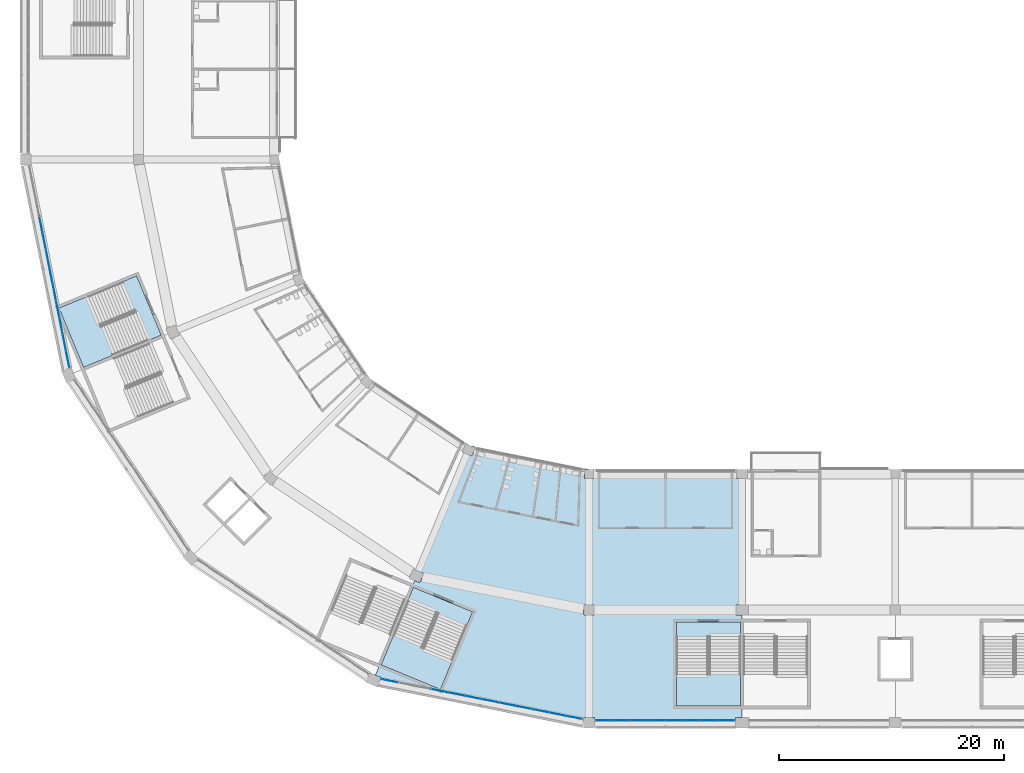
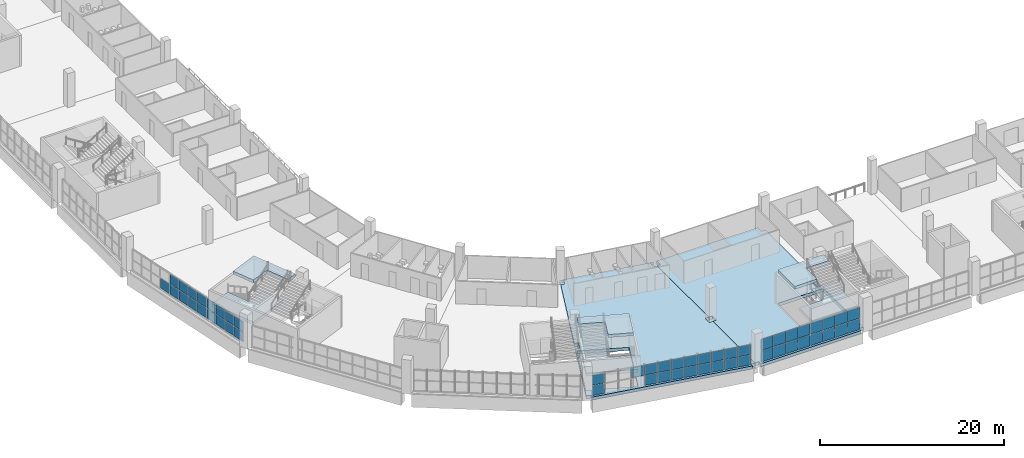
# One storey, part 56 of 199: 52 plates, 8 slabs, 6 elements without a shape of their own.
"""IFC4 building model written with IfcOpenShell, lengths in metres."""

from ifc_helpers import new_model, si_unit, direction, frame, origin, origin_2d, place, context, subcontext, project, spatial, polyline, rectangle, outline, extrude, material, layer, layer_set, type_object, element, aggregate, save


model = new_model("IFC4")

# Units and contexts
model_context = context("Model", 3, precision=1e-05, world=origin(), true_north=direction((0.0, 1.0)))
body_context = subcontext(model_context, "Body", "Model", "MODEL_VIEW")
ifc_project = project(units=[si_unit("LENGTHUNIT", "METRE"), si_unit("AREAUNIT", "SQUARE_METRE"), si_unit("VOLUMEUNIT", "CUBIC_METRE"), si_unit("PLANEANGLEUNIT", "RADIAN"), si_unit("MASSUNIT", "GRAM", prefix="KILO")], contexts=[model_context])

# Site, building, storey
site_placement = place(None, origin())
site = spatial("IfcSite", under=ifc_project, at=site_placement, CompositionType="ELEMENT")
building_placement = place(site_placement, origin())
building = spatial("IfcBuilding", under=site, at=building_placement, Name="Ogive Plaza Stadium", CompositionType="ELEMENT")
storey_placement = place(building_placement, frame((0.0, 0.0, 9.0)))
storey = spatial("IfcBuildingStorey", under=building, at=storey_placement, Name="L02", CompositionType="ELEMENT", Elevation=9.0)

# Curtain wall, plates
ifc_material_1 = material(Name="Bronze-anodised aluminium with laminated glass", Category="aluminium")
curtain_wall_type = type_object("IfcCurtainWallType", Name="Lancet curtain wall", PredefinedType="NOTDEFINED", material=ifc_material_1)
curtain_wall_1_placement = place(storey_placement, origin())
curtain_wall_1 = element("IfcCurtainWall", 1, at=curtain_wall_1_placement, inside=storey, type_object=curtain_wall_type, Name="CURTAIN WALL B16 L02", PredefinedType="NOTDEFINED")
ifc_material_2 = material(Name="Laminated glass", Category="glass")
ifc_layer_1 = layer(ifc_material_2, 0.028076171875)
ifc_layer_set_1 = layer_set([ifc_layer_1], Name="Laminated glass panel 28")
plate_type = type_object("IfcPlateType", Name="Laminated glass panel 28", PredefinedType="CURTAIN_PANEL", material=ifc_layer_set_1)
plate_1_placement = place(storey_placement, frame((-21.78759765625, -102.300048828125, 0.0498046875), z_axis=(0.0, 0.0, 1.0), x_axis=(-1.0, 0.0, 0.0)))
plate_1 = element("IfcPlate", 2, at=plate_1_placement, type_object=plate_type, Name="CW-B16-L02 panel 1.1", PredefinedType="CURTAIN_PANEL", context=body_context, shape_type="SweptSolid", body=[
    extrude(rectangle(XDim=1.47509765625, YDim=0.028076171875, at=origin_2d()), origin(), (0.0, 0.0, 1.0), 1.469970703125),
])
plate_2_placement = place(storey_placement, frame((-21.78759765625, -102.300048828125, 1.56982421875), z_axis=(0.0, 0.0, 1.0), x_axis=(-1.0, 0.0, 0.0)))
plate_2 = element("IfcPlate", 3, at=plate_2_placement, type_object=plate_type, Name="CW-B16-L02 panel 1.2", PredefinedType="CURTAIN_PANEL", context=body_context, shape_type="SweptSolid", body=[
    extrude(rectangle(XDim=1.47509765625, YDim=0.028076171875, at=origin_2d()), origin(), (0.0, 0.0, 1.0), 1.469970703125),
])
plate_3_placement = place(storey_placement, frame((-23.324951171875, -102.300048828125, 0.0498046875), z_axis=(0.0, 0.0, 1.0), x_axis=(-1.0, 0.0, 0.0)))
plate_3 = element("IfcPlate", 4, at=plate_3_placement, type_object=plate_type, Name="CW-B16-L02 panel 2.1", PredefinedType="CURTAIN_PANEL", context=body_context, shape_type="SweptSolid", body=[
    extrude(rectangle(XDim=1.5, YDim=0.028076171875, at=origin_2d()), origin(), (0.0, 0.0, 1.0), 1.469970703125),
])
plate_4_placement = place(storey_placement, frame((-23.324951171875, -102.300048828125, 1.56982421875), z_axis=(0.0, 0.0, 1.0), x_axis=(-1.0, 0.0, 0.0)))
plate_4 = element("IfcPlate", 5, at=plate_4_placement, type_object=plate_type, Name="CW-B16-L02 panel 2.2", PredefinedType="CURTAIN_PANEL", context=body_context, shape_type="SweptSolid", body=[
    extrude(rectangle(XDim=1.5, YDim=0.028076171875, at=origin_2d()), origin(), (0.0, 0.0, 1.0), 1.469970703125),
])
plate_5_placement = place(storey_placement, frame((-24.875, -102.300048828125, 0.0498046875), z_axis=(0.0, 0.0, 1.0), x_axis=(-1.0, 0.0, 0.0)))
plate_5 = element("IfcPlate", 6, at=plate_5_placement, type_object=plate_type, Name="CW-B16-L02 panel 3.1", PredefinedType="CURTAIN_PANEL", context=body_context, shape_type="SweptSolid", body=[
    extrude(rectangle(XDim=1.5, YDim=0.028076171875, at=origin_2d()), origin(), (0.0, 0.0, 1.0), 1.469970703125),
])
plate_6_placement = place(storey_placement, frame((-24.875, -102.300048828125, 1.56982421875), z_axis=(0.0, 0.0, 1.0), x_axis=(-1.0, 0.0, 0.0)))
plate_6 = element("IfcPlate", 7, at=plate_6_placement, type_object=plate_type, Name="CW-B16-L02 panel 3.2", PredefinedType="CURTAIN_PANEL", context=body_context, shape_type="SweptSolid", body=[
    extrude(rectangle(XDim=1.5, YDim=0.028076171875, at=origin_2d()), origin(), (0.0, 0.0, 1.0), 1.469970703125),
])
plate_7_placement = place(storey_placement, frame((-26.425048828125, -102.300048828125, 0.0498046875), z_axis=(0.0, 0.0, 1.0), x_axis=(-1.0, 0.0, 0.0)))
plate_7 = element("IfcPlate", 8, at=plate_7_placement, type_object=plate_type, Name="CW-B16-L02 panel 4.1", PredefinedType="CURTAIN_PANEL", context=body_context, shape_type="SweptSolid", body=[
    extrude(rectangle(XDim=1.5, YDim=0.028076171875, at=origin_2d()), origin(), (0.0, 0.0, 1.0), 1.469970703125),
])
plate_8_placement = place(storey_placement, frame((-26.425048828125, -102.300048828125, 1.56982421875), z_axis=(0.0, 0.0, 1.0), x_axis=(-1.0, 0.0, 0.0)))
plate_8 = element("IfcPlate", 9, at=plate_8_placement, type_object=plate_type, Name="CW-B16-L02 panel 4.2", PredefinedType="CURTAIN_PANEL", context=body_context, shape_type="SweptSolid", body=[
    extrude(rectangle(XDim=1.5, YDim=0.028076171875, at=origin_2d()), origin(), (0.0, 0.0, 1.0), 1.469970703125),
])
plate_9_placement = place(storey_placement, frame((-27.97509765625, -102.300048828125, 0.0498046875), z_axis=(0.0, 0.0, 1.0), x_axis=(-1.0, 0.0, 0.0)))
plate_9 = element("IfcPlate", 10, at=plate_9_placement, type_object=plate_type, Name="CW-B16-L02 panel 5.1", PredefinedType="CURTAIN_PANEL", context=body_context, shape_type="SweptSolid", body=[
    extrude(rectangle(XDim=1.5, YDim=0.028076171875, at=origin_2d()), origin(), (0.0, 0.0, 1.0), 1.469970703125),
])
plate_10_placement = place(storey_placement, frame((-27.97509765625, -102.300048828125, 1.56982421875), z_axis=(0.0, 0.0, 1.0), x_axis=(-1.0, 0.0, 0.0)))
plate_10 = element("IfcPlate", 11, at=plate_10_placement, type_object=plate_type, Name="CW-B16-L02 panel 5.2", PredefinedType="CURTAIN_PANEL", context=body_context, shape_type="SweptSolid", body=[
    extrude(rectangle(XDim=1.5, YDim=0.028076171875, at=origin_2d()), origin(), (0.0, 0.0, 1.0), 1.469970703125),
])
plate_11_placement = place(storey_placement, frame((-29.52490234375, -102.300048828125, 0.0498046875), z_axis=(0.0, 0.0, 1.0), x_axis=(-1.0, 0.0, 0.0)))
plate_11 = element("IfcPlate", 12, at=plate_11_placement, type_object=plate_type, Name="CW-B16-L02 panel 6.1", PredefinedType="CURTAIN_PANEL", context=body_context, shape_type="SweptSolid", body=[
    extrude(rectangle(XDim=1.5, YDim=0.028076171875, at=origin_2d()), origin(), (0.0, 0.0, 1.0), 1.469970703125),
])
plate_12_placement = place(storey_placement, frame((-29.52490234375, -102.300048828125, 1.56982421875), z_axis=(0.0, 0.0, 1.0), x_axis=(-1.0, 0.0, 0.0)))
plate_12 = element("IfcPlate", 13, at=plate_12_placement, type_object=plate_type, Name="CW-B16-L02 panel 6.2", PredefinedType="CURTAIN_PANEL", context=body_context, shape_type="SweptSolid", body=[
    extrude(rectangle(XDim=1.5, YDim=0.028076171875, at=origin_2d()), origin(), (0.0, 0.0, 1.0), 1.469970703125),
])
plate_13_placement = place(storey_placement, frame((-31.074951171875, -102.300048828125, 0.0498046875), z_axis=(0.0, 0.0, 1.0), x_axis=(-1.0, 0.0, 0.0)))
plate_13 = element("IfcPlate", 14, at=plate_13_placement, type_object=plate_type, Name="CW-B16-L02 panel 7.1", PredefinedType="CURTAIN_PANEL", context=body_context, shape_type="SweptSolid", body=[
    extrude(rectangle(XDim=1.5, YDim=0.028076171875, at=origin_2d()), origin(), (0.0, 0.0, 1.0), 1.469970703125),
])
plate_14_placement = place(storey_placement, frame((-31.074951171875, -102.300048828125, 1.56982421875), z_axis=(0.0, 0.0, 1.0), x_axis=(-1.0, 0.0, 0.0)))
plate_14 = element("IfcPlate", 15, at=plate_14_placement, type_object=plate_type, Name="CW-B16-L02 panel 7.2", PredefinedType="CURTAIN_PANEL", context=body_context, shape_type="SweptSolid", body=[
    extrude(rectangle(XDim=1.5, YDim=0.028076171875, at=origin_2d()), origin(), (0.0, 0.0, 1.0), 1.469970703125),
])
plate_15_placement = place(storey_placement, frame((-32.612548828125, -102.300048828125, 0.0498046875), z_axis=(0.0, 0.0, 1.0), x_axis=(-1.0, 0.0, 0.0)))
plate_15 = element("IfcPlate", 16, at=plate_15_placement, type_object=plate_type, Name="CW-B16-L02 panel 8.1", PredefinedType="CURTAIN_PANEL", context=body_context, shape_type="SweptSolid", body=[
    extrude(rectangle(XDim=1.47509765625, YDim=0.028076171875, at=origin_2d()), origin(), (0.0, 0.0, 1.0), 1.469970703125),
])
plate_16_placement = place(storey_placement, frame((-32.612548828125, -102.300048828125, 1.56982421875), z_axis=(0.0, 0.0, 1.0), x_axis=(-1.0, 0.0, 0.0)))
plate_16 = element("IfcPlate", 17, at=plate_16_placement, type_object=plate_type, Name="CW-B16-L02 panel 8.2", PredefinedType="CURTAIN_PANEL", context=body_context, shape_type="SweptSolid", body=[
    extrude(rectangle(XDim=1.47509765625, YDim=0.028076171875, at=origin_2d()), origin(), (0.0, 0.0, 1.0), 1.469970703125),
])
aggregate(curtain_wall_1, [plate_1, plate_2, plate_3, plate_4, plate_5, plate_6, plate_7, plate_8, plate_9, plate_10, plate_11, plate_12, plate_13, plate_14, plate_15, plate_16])

curtain_wall_2_placement = place(storey_placement, origin())
curtain_wall_2 = element("IfcCurtainWall", 18, at=curtain_wall_2_placement, inside=storey, type_object=curtain_wall_type, Name="CURTAIN WALL B17 L02", PredefinedType="NOTDEFINED")
plate_17_placement = place(storey_placement, frame((-35.328369140625, -102.031982421875, 0.0498046875), z_axis=(0.0, 0.0, 1.0), x_axis=(-0.9807852804, 0.195090322033, 0.0)))
plate_17 = element("IfcPlate", 19, at=plate_17_placement, type_object=plate_type, Name="CW-B17-L02 panel 1.1", PredefinedType="CURTAIN_PANEL", context=body_context, shape_type="SweptSolid", body=[
    extrude(rectangle(XDim=1.447265625, YDim=0.028076171875, at=origin_2d()), origin(), (0.0, 0.0, 1.0), 1.320068359375),
])
plate_18_placement = place(storey_placement, frame((-35.328369140625, -102.031982421875, 1.419921875), z_axis=(0.0, 0.0, 1.0), x_axis=(-0.9807852804, 0.195090322033, 0.0)))
plate_18 = element("IfcPlate", 20, at=plate_18_placement, type_object=plate_type, Name="CW-B17-L02 panel 1.2", PredefinedType="CURTAIN_PANEL", context=body_context, shape_type="SweptSolid", body=[
    extrude(rectangle(XDim=1.447265625, YDim=0.028076171875, at=origin_2d()), origin(), (0.0, 0.0, 1.0), 1.320068359375),
])
plate_19_placement = place(storey_placement, frame((-36.80908203125, -101.7373046875, 0.0498046875), z_axis=(0.0, 0.0, 1.0), x_axis=(-0.9807852804, 0.195090322033, 0.0)))
plate_19 = element("IfcPlate", 21, at=plate_19_placement, type_object=plate_type, Name="CW-B17-L02 panel 2.1", PredefinedType="CURTAIN_PANEL", context=body_context, shape_type="SweptSolid", body=[
    extrude(rectangle(XDim=1.472412109375, YDim=0.028076171875, at=origin_2d()), origin(), (0.0, 0.0, 1.0), 1.320068359375),
])
plate_20_placement = place(storey_placement, frame((-36.80908203125, -101.7373046875, 1.419921875), z_axis=(0.0, 0.0, 1.0), x_axis=(-0.9807852804, 0.195090322033, 0.0)))
plate_20 = element("IfcPlate", 22, at=plate_20_placement, type_object=plate_type, Name="CW-B17-L02 panel 2.2", PredefinedType="CURTAIN_PANEL", context=body_context, shape_type="SweptSolid", body=[
    extrude(rectangle(XDim=1.472412109375, YDim=0.028076171875, at=origin_2d()), origin(), (0.0, 0.0, 1.0), 1.320068359375),
])
plate_21_placement = place(storey_placement, frame((-38.30224609375, -101.4404296875, 0.0498046875), z_axis=(0.0, 0.0, 1.0), x_axis=(-0.9807852804, 0.195090322033, 0.0)))
plate_21 = element("IfcPlate", 23, at=plate_21_placement, type_object=plate_type, Name="CW-B17-L02 panel 3.1", PredefinedType="CURTAIN_PANEL", context=body_context, shape_type="SweptSolid", body=[
    extrude(rectangle(XDim=1.472412109375, YDim=0.028076171875, at=origin_2d()), origin(), (0.0, 0.0, 1.0), 1.320068359375),
])
plate_22_placement = place(storey_placement, frame((-38.30224609375, -101.4404296875, 1.419921875), z_axis=(0.0, 0.0, 1.0), x_axis=(-0.9807852804, 0.195090322033, 0.0)))
plate_22 = element("IfcPlate", 24, at=plate_22_placement, type_object=plate_type, Name="CW-B17-L02 panel 3.2", PredefinedType="CURTAIN_PANEL", context=body_context, shape_type="SweptSolid", body=[
    extrude(rectangle(XDim=1.472412109375, YDim=0.028076171875, at=origin_2d()), origin(), (0.0, 0.0, 1.0), 1.320068359375),
])
plate_23_placement = place(storey_placement, frame((-39.79541015625, -101.143310546875, 0.0498046875), z_axis=(0.0, 0.0, 1.0), x_axis=(-0.9807852804, 0.195090322033, 0.0)))
plate_23 = element("IfcPlate", 25, at=plate_23_placement, type_object=plate_type, Name="CW-B17-L02 panel 4.1", PredefinedType="CURTAIN_PANEL", context=body_context, shape_type="SweptSolid", body=[
    extrude(rectangle(XDim=1.472412109375, YDim=0.028076171875, at=origin_2d()), origin(), (0.0, 0.0, 1.0), 1.320068359375),
])
plate_24_placement = place(storey_placement, frame((-39.79541015625, -101.143310546875, 1.419921875), z_axis=(0.0, 0.0, 1.0), x_axis=(-0.9807852804, 0.195090322033, 0.0)))
plate_24 = element("IfcPlate", 26, at=plate_24_placement, type_object=plate_type, Name="CW-B17-L02 panel 4.2", PredefinedType="CURTAIN_PANEL", context=body_context, shape_type="SweptSolid", body=[
    extrude(rectangle(XDim=1.472412109375, YDim=0.028076171875, at=origin_2d()), origin(), (0.0, 0.0, 1.0), 1.320068359375),
])
plate_25_placement = place(storey_placement, frame((-41.288330078125, -100.846435546875, 0.0498046875), z_axis=(0.0, 0.0, 1.0), x_axis=(-0.9807852804, 0.195090322033, 0.0)))
plate_25 = element("IfcPlate", 27, at=plate_25_placement, type_object=plate_type, Name="CW-B17-L02 panel 5.1", PredefinedType="CURTAIN_PANEL", context=body_context, shape_type="SweptSolid", body=[
    extrude(rectangle(XDim=1.472412109375, YDim=0.028076171875, at=origin_2d()), origin(), (0.0, 0.0, 1.0), 1.320068359375),
])
plate_26_placement = place(storey_placement, frame((-41.288330078125, -100.846435546875, 1.419921875), z_axis=(0.0, 0.0, 1.0), x_axis=(-0.9807852804, 0.195090322033, 0.0)))
plate_26 = element("IfcPlate", 28, at=plate_26_placement, type_object=plate_type, Name="CW-B17-L02 panel 5.2", PredefinedType="CURTAIN_PANEL", context=body_context, shape_type="SweptSolid", body=[
    extrude(rectangle(XDim=1.472412109375, YDim=0.028076171875, at=origin_2d()), origin(), (0.0, 0.0, 1.0), 1.320068359375),
])
plate_27_placement = place(storey_placement, frame((-42.781494140625, -100.54931640625, 0.0498046875), z_axis=(0.0, 0.0, 1.0), x_axis=(-0.9807852804, 0.195090322033, 0.0)))
plate_27 = element("IfcPlate", 29, at=plate_27_placement, type_object=plate_type, Name="CW-B17-L02 panel 6.1", PredefinedType="CURTAIN_PANEL", context=body_context, shape_type="SweptSolid", body=[
    extrude(rectangle(XDim=1.472412109375, YDim=0.028076171875, at=origin_2d()), origin(), (0.0, 0.0, 1.0), 1.320068359375),
])
plate_28_placement = place(storey_placement, frame((-42.781494140625, -100.54931640625, 1.419921875), z_axis=(0.0, 0.0, 1.0), x_axis=(-0.9807852804, 0.195090322033, 0.0)))
plate_28 = element("IfcPlate", 30, at=plate_28_placement, type_object=plate_type, Name="CW-B17-L02 panel 6.2", PredefinedType="CURTAIN_PANEL", context=body_context, shape_type="SweptSolid", body=[
    extrude(rectangle(XDim=1.472412109375, YDim=0.028076171875, at=origin_2d()), origin(), (0.0, 0.0, 1.0), 1.320068359375),
])
plate_29_placement = place(storey_placement, frame((-44.274658203125, -100.25244140625, 0.0498046875), z_axis=(0.0, 0.0, 1.0), x_axis=(-0.9807852804, 0.195090322033, 0.0)))
plate_29 = element("IfcPlate", 31, at=plate_29_placement, type_object=plate_type, Name="CW-B17-L02 panel 7.1", PredefinedType="CURTAIN_PANEL", context=body_context, shape_type="SweptSolid", body=[
    extrude(rectangle(XDim=1.472412109375, YDim=0.028076171875, at=origin_2d()), origin(), (0.0, 0.0, 1.0), 1.320068359375),
])
plate_30_placement = place(storey_placement, frame((-44.274658203125, -100.25244140625, 1.419921875), z_axis=(0.0, 0.0, 1.0), x_axis=(-0.9807852804, 0.195090322033, 0.0)))
plate_30 = element("IfcPlate", 32, at=plate_30_placement, type_object=plate_type, Name="CW-B17-L02 panel 7.2", PredefinedType="CURTAIN_PANEL", context=body_context, shape_type="SweptSolid", body=[
    extrude(rectangle(XDim=1.472412109375, YDim=0.028076171875, at=origin_2d()), origin(), (0.0, 0.0, 1.0), 1.320068359375),
])
plate_31_placement = place(storey_placement, frame((-45.767822265625, -99.955322265625, 0.0498046875), z_axis=(0.0, 0.0, 1.0), x_axis=(-0.9807852804, 0.195090322033, 0.0)))
plate_31 = element("IfcPlate", 33, at=plate_31_placement, type_object=plate_type, Name="CW-B17-L02 panel 8.1", PredefinedType="CURTAIN_PANEL", context=body_context, shape_type="SweptSolid", body=[
    extrude(rectangle(XDim=1.472412109375, YDim=0.028076171875, at=origin_2d()), origin(), (0.0, 0.0, 1.0), 1.320068359375),
])
plate_32_placement = place(storey_placement, frame((-45.767822265625, -99.955322265625, 1.419921875), z_axis=(0.0, 0.0, 1.0), x_axis=(-0.9807852804, 0.195090322033, 0.0)))
plate_32 = element("IfcPlate", 34, at=plate_32_placement, type_object=plate_type, Name="CW-B17-L02 panel 8.2", PredefinedType="CURTAIN_PANEL", context=body_context, shape_type="SweptSolid", body=[
    extrude(rectangle(XDim=1.472412109375, YDim=0.028076171875, at=origin_2d()), origin(), (0.0, 0.0, 1.0), 1.320068359375),
])
plate_33_placement = place(storey_placement, frame((-47.2607421875, -99.658447265625, 1.419921875), z_axis=(0.0, 0.0, 1.0), x_axis=(-0.9807852804, 0.195090322033, 0.0)))
plate_33 = element("IfcPlate", 35, at=plate_33_placement, type_object=plate_type, Name="CW-B17-L02 panel 9.2", PredefinedType="CURTAIN_PANEL", context=body_context, shape_type="SweptSolid", body=[
    extrude(rectangle(XDim=1.472412109375, YDim=0.028076171875, at=origin_2d()), origin(), (0.0, 0.0, 1.0), 1.320068359375),
])
plate_34_placement = place(storey_placement, frame((-51.727783203125, -98.769775390625, 0.0498046875), z_axis=(0.0, 0.0, 1.0), x_axis=(-0.9807852804, 0.195090322033, 0.0)))
plate_34 = element("IfcPlate", 36, at=plate_34_placement, type_object=plate_type, Name="CW-B17-L02 panel 12.1", PredefinedType="CURTAIN_PANEL", context=body_context, shape_type="SweptSolid", body=[
    extrude(rectangle(XDim=1.447265625, YDim=0.028076171875, at=origin_2d()), origin(), (0.0, 0.0, 1.0), 1.320068359375),
])
plate_35_placement = place(storey_placement, frame((-51.727783203125, -98.769775390625, 1.419921875), z_axis=(0.0, 0.0, 1.0), x_axis=(-0.9807852804, 0.195090322033, 0.0)))
plate_35 = element("IfcPlate", 37, at=plate_35_placement, type_object=plate_type, Name="CW-B17-L02 panel 12.2", PredefinedType="CURTAIN_PANEL", context=body_context, shape_type="SweptSolid", body=[
    extrude(rectangle(XDim=1.447265625, YDim=0.028076171875, at=origin_2d()), origin(), (0.0, 0.0, 1.0), 1.320068359375),
])
aggregate(curtain_wall_2, [plate_17, plate_18, plate_19, plate_20, plate_21, plate_22, plate_23, plate_24, plate_25, plate_26, plate_27, plate_28, plate_29, plate_30, plate_31, plate_32, plate_33, plate_34, plate_35])

curtain_wall_3_placement = place(storey_placement, origin())
curtain_wall_3 = element("IfcCurtainWall", 38, at=curtain_wall_3_placement, inside=storey, type_object=curtain_wall_type, Name="CURTAIN WALL B20 L02", PredefinedType="NOTDEFINED")
plate_36_placement = place(storey_placement, frame((-80.269775390625, -70.227783203125, 0.0498046875), z_axis=(0.0, 0.0, 1.0), x_axis=(-0.195090322033, 0.9807852804, 0.0)))
plate_36 = element("IfcPlate", 39, at=plate_36_placement, type_object=plate_type, Name="CW-B20-L02 panel 1.1", PredefinedType="CURTAIN_PANEL", context=body_context, shape_type="SweptSolid", body=[
    extrude(rectangle(XDim=1.447265625, YDim=0.028076171875, at=origin_2d()), origin(), (0.0, 0.0, 1.0), 1.320068359375),
])
plate_37_placement = place(storey_placement, frame((-80.269775390625, -70.227783203125, 1.419921875), z_axis=(0.0, 0.0, 1.0), x_axis=(-0.195090322033, 0.9807852804, 0.0)))
plate_37 = element("IfcPlate", 40, at=plate_37_placement, type_object=plate_type, Name="CW-B20-L02 panel 1.2", PredefinedType="CURTAIN_PANEL", context=body_context, shape_type="SweptSolid", body=[
    extrude(rectangle(XDim=1.447265625, YDim=0.028076171875, at=origin_2d()), origin(), (0.0, 0.0, 1.0), 1.320068359375),
])
plate_38_placement = place(storey_placement, frame((-80.564453125, -68.7470703125, 0.0498046875), z_axis=(0.0, 0.0, 1.0), x_axis=(-0.195090322033, 0.9807852804, 0.0)))
plate_38 = element("IfcPlate", 41, at=plate_38_placement, type_object=plate_type, Name="CW-B20-L02 panel 2.1", PredefinedType="CURTAIN_PANEL", context=body_context, shape_type="SweptSolid", body=[
    extrude(rectangle(XDim=1.472412109375, YDim=0.028076171875, at=origin_2d()), origin(), (0.0, 0.0, 1.0), 1.320068359375),
])
plate_39_placement = place(storey_placement, frame((-80.564453125, -68.7470703125, 1.419921875), z_axis=(0.0, 0.0, 1.0), x_axis=(-0.195090322033, 0.9807852804, 0.0)))
plate_39 = element("IfcPlate", 42, at=plate_39_placement, type_object=plate_type, Name="CW-B20-L02 panel 2.2", PredefinedType="CURTAIN_PANEL", context=body_context, shape_type="SweptSolid", body=[
    extrude(rectangle(XDim=1.472412109375, YDim=0.028076171875, at=origin_2d()), origin(), (0.0, 0.0, 1.0), 1.320068359375),
])
plate_40_placement = place(storey_placement, frame((-80.861328125, -67.25390625, 0.0498046875), z_axis=(0.0, 0.0, 1.0), x_axis=(-0.195090322033, 0.9807852804, 0.0)))
plate_40 = element("IfcPlate", 43, at=plate_40_placement, type_object=plate_type, Name="CW-B20-L02 panel 3.1", PredefinedType="CURTAIN_PANEL", context=body_context, shape_type="SweptSolid", body=[
    extrude(rectangle(XDim=1.472412109375, YDim=0.028076171875, at=origin_2d()), origin(), (0.0, 0.0, 1.0), 1.320068359375),
])
plate_41_placement = place(storey_placement, frame((-80.861328125, -67.25390625, 1.419921875), z_axis=(0.0, 0.0, 1.0), x_axis=(-0.195090322033, 0.9807852804, 0.0)))
plate_41 = element("IfcPlate", 44, at=plate_41_placement, type_object=plate_type, Name="CW-B20-L02 panel 3.2", PredefinedType="CURTAIN_PANEL", context=body_context, shape_type="SweptSolid", body=[
    extrude(rectangle(XDim=1.472412109375, YDim=0.028076171875, at=origin_2d()), origin(), (0.0, 0.0, 1.0), 1.320068359375),
])
plate_42_placement = place(storey_placement, frame((-81.158447265625, -65.7607421875, 0.0498046875), z_axis=(0.0, 0.0, 1.0), x_axis=(-0.195090322033, 0.9807852804, 0.0)))
plate_42 = element("IfcPlate", 45, at=plate_42_placement, type_object=plate_type, Name="CW-B20-L02 panel 4.1", PredefinedType="CURTAIN_PANEL", context=body_context, shape_type="SweptSolid", body=[
    extrude(rectangle(XDim=1.472412109375, YDim=0.028076171875, at=origin_2d()), origin(), (0.0, 0.0, 1.0), 1.320068359375),
])
plate_43_placement = place(storey_placement, frame((-81.158447265625, -65.7607421875, 1.419921875), z_axis=(0.0, 0.0, 1.0), x_axis=(-0.195090322033, 0.9807852804, 0.0)))
plate_43 = element("IfcPlate", 46, at=plate_43_placement, type_object=plate_type, Name="CW-B20-L02 panel 4.2", PredefinedType="CURTAIN_PANEL", context=body_context, shape_type="SweptSolid", body=[
    extrude(rectangle(XDim=1.472412109375, YDim=0.028076171875, at=origin_2d()), origin(), (0.0, 0.0, 1.0), 1.320068359375),
])
plate_44_placement = place(storey_placement, frame((-81.455322265625, -64.267822265625, 0.0498046875), z_axis=(0.0, 0.0, 1.0), x_axis=(-0.195090322033, 0.9807852804, 0.0)))
plate_44 = element("IfcPlate", 47, at=plate_44_placement, type_object=plate_type, Name="CW-B20-L02 panel 5.1", PredefinedType="CURTAIN_PANEL", context=body_context, shape_type="SweptSolid", body=[
    extrude(rectangle(XDim=1.472412109375, YDim=0.028076171875, at=origin_2d()), origin(), (0.0, 0.0, 1.0), 1.320068359375),
])
plate_45_placement = place(storey_placement, frame((-81.455322265625, -64.267822265625, 1.419921875), z_axis=(0.0, 0.0, 1.0), x_axis=(-0.195090322033, 0.9807852804, 0.0)))
plate_45 = element("IfcPlate", 48, at=plate_45_placement, type_object=plate_type, Name="CW-B20-L02 panel 5.2", PredefinedType="CURTAIN_PANEL", context=body_context, shape_type="SweptSolid", body=[
    extrude(rectangle(XDim=1.472412109375, YDim=0.028076171875, at=origin_2d()), origin(), (0.0, 0.0, 1.0), 1.320068359375),
])
plate_46_placement = place(storey_placement, frame((-81.75244140625, -62.774658203125, 0.0498046875), z_axis=(0.0, 0.0, 1.0), x_axis=(-0.195090322033, 0.9807852804, 0.0)))
plate_46 = element("IfcPlate", 49, at=plate_46_placement, type_object=plate_type, Name="CW-B20-L02 panel 6.1", PredefinedType="CURTAIN_PANEL", context=body_context, shape_type="SweptSolid", body=[
    extrude(rectangle(XDim=1.472412109375, YDim=0.028076171875, at=origin_2d()), origin(), (0.0, 0.0, 1.0), 1.320068359375),
])
plate_47_placement = place(storey_placement, frame((-81.75244140625, -62.774658203125, 1.419921875), z_axis=(0.0, 0.0, 1.0), x_axis=(-0.195090322033, 0.9807852804, 0.0)))
plate_47 = element("IfcPlate", 50, at=plate_47_placement, type_object=plate_type, Name="CW-B20-L02 panel 6.2", PredefinedType="CURTAIN_PANEL", context=body_context, shape_type="SweptSolid", body=[
    extrude(rectangle(XDim=1.472412109375, YDim=0.028076171875, at=origin_2d()), origin(), (0.0, 0.0, 1.0), 1.320068359375),
])
plate_48_placement = place(storey_placement, frame((-82.04931640625, -61.281494140625, 0.0498046875), z_axis=(0.0, 0.0, 1.0), x_axis=(-0.195090322033, 0.9807852804, 0.0)))
plate_48 = element("IfcPlate", 51, at=plate_48_placement, type_object=plate_type, Name="CW-B20-L02 panel 7.1", PredefinedType="CURTAIN_PANEL", context=body_context, shape_type="SweptSolid", body=[
    extrude(rectangle(XDim=1.472412109375, YDim=0.028076171875, at=origin_2d()), origin(), (0.0, 0.0, 1.0), 1.320068359375),
])
plate_49_placement = place(storey_placement, frame((-82.04931640625, -61.281494140625, 1.419921875), z_axis=(0.0, 0.0, 1.0), x_axis=(-0.195090322033, 0.9807852804, 0.0)))
plate_49 = element("IfcPlate", 52, at=plate_49_placement, type_object=plate_type, Name="CW-B20-L02 panel 7.2", PredefinedType="CURTAIN_PANEL", context=body_context, shape_type="SweptSolid", body=[
    extrude(rectangle(XDim=1.472412109375, YDim=0.028076171875, at=origin_2d()), origin(), (0.0, 0.0, 1.0), 1.320068359375),
])
plate_50_placement = place(storey_placement, frame((-82.346435546875, -59.788330078125, 0.0498046875), z_axis=(0.0, 0.0, 1.0), x_axis=(-0.195090322033, 0.9807852804, 0.0)))
plate_50 = element("IfcPlate", 53, at=plate_50_placement, type_object=plate_type, Name="CW-B20-L02 panel 8.1", PredefinedType="CURTAIN_PANEL", context=body_context, shape_type="SweptSolid", body=[
    extrude(rectangle(XDim=1.472412109375, YDim=0.028076171875, at=origin_2d()), origin(), (0.0, 0.0, 1.0), 1.320068359375),
])
plate_51_placement = place(storey_placement, frame((-82.346435546875, -59.788330078125, 1.419921875), z_axis=(0.0, 0.0, 1.0), x_axis=(-0.195090322033, 0.9807852804, 0.0)))
plate_51 = element("IfcPlate", 54, at=plate_51_placement, type_object=plate_type, Name="CW-B20-L02 panel 8.2", PredefinedType="CURTAIN_PANEL", context=body_context, shape_type="SweptSolid", body=[
    extrude(rectangle(XDim=1.472412109375, YDim=0.028076171875, at=origin_2d()), origin(), (0.0, 0.0, 1.0), 1.320068359375),
])
plate_52_placement = place(storey_placement, frame((-82.643310546875, -58.29541015625, 0.0498046875), z_axis=(0.0, 0.0, 1.0), x_axis=(-0.195090322033, 0.9807852804, 0.0)))
plate_52 = element("IfcPlate", 55, at=plate_52_placement, type_object=plate_type, Name="CW-B20-L02 panel 9.1", PredefinedType="CURTAIN_PANEL", context=body_context, shape_type="SweptSolid", body=[
    extrude(rectangle(XDim=1.472412109375, YDim=0.028076171875, at=origin_2d()), origin(), (0.0, 0.0, 1.0), 1.320068359375),
])
aggregate(curtain_wall_3, [plate_36, plate_37, plate_38, plate_39, plate_40, plate_41, plate_42, plate_43, plate_44, plate_45, plate_46, plate_47, plate_48, plate_49, plate_50, plate_51, plate_52])

# Slabs
ifc_material_3 = material(Name="Concrete C40/50", Category="concrete")
ifc_layer_2 = layer(ifc_material_3, 0.409912109375)
ifc_layer_set_2 = layer_set([ifc_layer_2], Name="Concrete C40/50")
slab_type_1 = type_object("IfcSlabType", Name="RC floor slab 410", PredefinedType="FLOOR", material=ifc_layer_set_2)
slab_1_placement = place(storey_placement, frame((0.0, 0.0, -0.409912109375)))
element("IfcSlab", 56, at=slab_1_placement, inside=storey, type_object=slab_type_1, Name="Floor slab L02 B16", PredefinedType="FLOOR", context=body_context, shape_type="SweptSolid", body=[
    extrude(outline(polyline([(-34.0, -92.050048828125), (-33.550048828125, -92.050048828125), (-33.550048828125, -92.949951171875), (-34.0, -92.949951171875), (-34.0, -102.050048828125), (-33.5, -102.050048828125), (-33.5, -102.5), (-21.0, -102.5), (-21.0, -102.050048828125), (-20.39990234375, -102.050048828125), (-20.39990234375, -92.949951171875), (-20.949951171875, -92.949951171875), (-20.949951171875, -92.050048828125), (-20.39990234375, -92.050048828125), (-20.39990234375, -80.800048828125), (-20.89990234375, -80.800048828125), (-20.89990234375, -80.0), (-33.60009765625, -80.0), (-33.60009765625, -80.800048828125), (-34.0, -80.800048828125), (-34.0, -92.050048828125)]), holes=[polyline([(-20.52490234375, -93.550048828125), (-26.22509765625, -93.550048828125), (-26.22509765625, -101.010009765625), (-20.52490234375, -101.010009765625), (-20.52490234375, -93.550048828125)])]), origin(), (0.0, 0.0, 1.0), 0.409912109375),
])
slab_2_placement = place(storey_placement, frame((0.0, 0.0, -0.409912109375)))
element("IfcSlab", 57, at=slab_2_placement, inside=storey, type_object=slab_type_1, Name="Floor slab L02 B17", PredefinedType="FLOOR", context=body_context, shape_type="SweptSolid", body=[
    extrude(outline(polyline([(-49.135009765625, -89.03955078125), (-48.673095703125, -89.230712890625), (-49.017578125, -90.062255859375), (-49.4794921875, -89.870849609375), (-52.9619140625, -98.2783203125), (-52.453857421875, -98.48876953125), (-52.584228515625, -98.803466796875), (-34.5, -102.400634765625), (-34.5, -102.050048828125), (-34.0, -102.050048828125), (-34.0, -92.949951171875), (-34.449951171875, -92.949951171875), (-34.449951171875, -92.050048828125), (-34.0, -92.050048828125), (-34.0, -80.800048828125), (-34.39990234375, -80.800048828125), (-34.39990234375, -80.0), (-34.0, -80.0), (-44.523681640625, -77.90673828125), (-44.108154296875, -78.078857421875), (-44.414306640625, -78.818115234375), (-44.829833984375, -78.645751953125), (-49.135009765625, -89.03955078125)]), holes=[polyline([(-44.32763671875, -92.654296875), (-49.59375, -90.47314453125), (-52.448486328125, -97.365234375), (-47.182373046875, -99.546630859375), (-44.32763671875, -92.654296875)])]), origin(), (0.0, 0.0, 1.0), 0.409912109375),
])

# Stair, slabs
ifc_material_4 = material(Name="Concrete C40/50", Category="concrete")
stair_type = type_object("IfcStairType", Name="Exit stair", PredefinedType="STRAIGHT_RUN_STAIR", material=ifc_material_4)
stair_1_placement = place(storey_placement, origin())
stair_1 = element("IfcStair", 58, at=stair_1_placement, inside=storey, type_object=stair_type, Name="Exit stair ST16A L02 to L03", PredefinedType="STRAIGHT_RUN_STAIR")
ifc_material_5 = material(Name="Concrete C40/50", Category="concrete")
ifc_layer_3 = layer(ifc_material_5, 0.39990234375)
ifc_layer_set_3 = layer_set([ifc_layer_3], Name="Concrete C40/50")
slab_type_2 = type_object("IfcSlabType", Name="Stair landing", PredefinedType="LANDING", material=ifc_layer_set_3)
slab_3_placement = place(storey_placement, frame((0.0, 0.0, 1.85009765625)))
slab_3 = element("IfcSlab", 59, at=slab_3_placement, type_object=slab_type_2, Name="ST16A landing 1", PredefinedType="LANDING", context=body_context, shape_type="SweptSolid", body=[
    extrude(outline(polyline([(-20.52490234375, -101.010009765625), (-26.22509765625, -101.010009765625), (-26.22509765625, -98.2099609375), (-23.324951171875, -98.2099609375), (-23.324951171875, -95.81005859375), (-20.52490234375, -95.81005859375), (-20.52490234375, -98.2099609375), (-20.52490234375, -101.010009765625)])), origin(), (0.0, 0.0, 1.0), 0.39990234375),
])
slab_4_placement = place(storey_placement, frame((0.0, 0.0, 4.10009765625)))
slab_4 = element("IfcSlab", 60, at=slab_4_placement, type_object=slab_type_2, Name="ST16A landing 2", PredefinedType="LANDING", context=body_context, shape_type="SweptSolid", body=[
    extrude(outline(polyline([(-23.425048828125, -97.25), (-26.22509765625, -97.25), (-26.22509765625, -94.85009765625), (-26.22509765625, -93.550048828125), (-20.52490234375, -93.550048828125), (-20.52490234375, -94.85009765625), (-23.425048828125, -94.85009765625), (-23.425048828125, -97.25)])), origin(), (0.0, 0.0, 1.0), 0.39990234375),
])
aggregate(stair_1, [slab_3, slab_4])

stair_2_placement = place(storey_placement, origin())
stair_2 = element("IfcStair", 61, at=stair_2_placement, inside=storey, type_object=stair_type, Name="Exit stair ST18B L02 to L03", PredefinedType="STRAIGHT_RUN_STAIR")
slab_5_placement = place(storey_placement, frame((0.0, 0.0, 1.85009765625)))
slab_5 = element("IfcSlab", 62, at=slab_5_placement, type_object=slab_type_2, Name="ST18B landing 1", PredefinedType="LANDING", context=body_context, shape_type="SweptSolid", body=[
    extrude(outline(polyline([(-50.45849609375, -92.56103515625), (-47.87158203125, -93.632568359375), (-48.7900390625, -95.849853515625), (-46.11083984375, -96.959716796875), (-47.182373046875, -99.546630859375), (-52.448486328125, -97.365234375), (-51.376953125, -94.7783203125), (-50.45849609375, -92.56103515625)])), origin(), (0.0, 0.0, 1.0), 0.39990234375),
])
slab_6_placement = place(storey_placement, frame((0.0, 0.0, 4.10009765625)))
slab_6 = element("IfcSlab", 63, at=slab_6_placement, type_object=slab_type_2, Name="ST18B landing 2", PredefinedType="LANDING", context=body_context, shape_type="SweptSolid", body=[
    extrude(outline(polyline([(-50.091064453125, -91.674072265625), (-49.59375, -90.47314453125), (-44.32763671875, -92.654296875), (-44.824951171875, -93.85546875), (-45.743408203125, -96.07275390625), (-48.330322265625, -95.001220703125), (-47.411865234375, -92.783935546875), (-50.091064453125, -91.674072265625)])), origin(), (0.0, 0.0, 1.0), 0.39990234375),
])
aggregate(stair_2, [slab_5, slab_6])

stair_3_placement = place(storey_placement, origin())
stair_3 = element("IfcStair", 64, at=stair_3_placement, inside=storey, type_object=stair_type, Name="Exit stair ST20A L02 to L03", PredefinedType="STRAIGHT_RUN_STAIR")
slab_7_placement = place(storey_placement, frame((0.0, 0.0, 1.85009765625)))
slab_7 = element("IfcSlab", 65, at=slab_7_placement, type_object=slab_type_2, Name="ST20A landing 1", PredefinedType="LANDING", context=body_context, shape_type="SweptSolid", body=[
    extrude(outline(polyline([(-78.865234375, -70.948486328125), (-81.046630859375, -65.682373046875), (-78.459716796875, -64.61083984375), (-77.349853515625, -67.2900390625), (-75.132568359375, -66.37158203125), (-74.06103515625, -68.95849609375), (-76.2783203125, -69.876953125), (-78.865234375, -70.948486328125)])), origin(), (0.0, 0.0, 1.0), 0.39990234375),
])
slab_8_placement = place(storey_placement, frame((0.0, 0.0, 4.10009765625)))
slab_8 = element("IfcSlab", 66, at=slab_8_placement, type_object=slab_type_2, Name="ST20A landing 2", PredefinedType="LANDING", context=body_context, shape_type="SweptSolid", body=[
    extrude(outline(polyline([(-76.501220703125, -66.830322265625), (-77.57275390625, -64.243408203125), (-75.35546875, -63.324951171875), (-74.154296875, -62.82763671875), (-71.97314453125, -68.09375), (-73.174072265625, -68.591064453125), (-74.283935546875, -65.911865234375), (-76.501220703125, -66.830322265625)])), origin(), (0.0, 0.0, 1.0), 0.39990234375),
])
aggregate(stair_3, [slab_7, slab_8])

save(model, "model.ifc")
